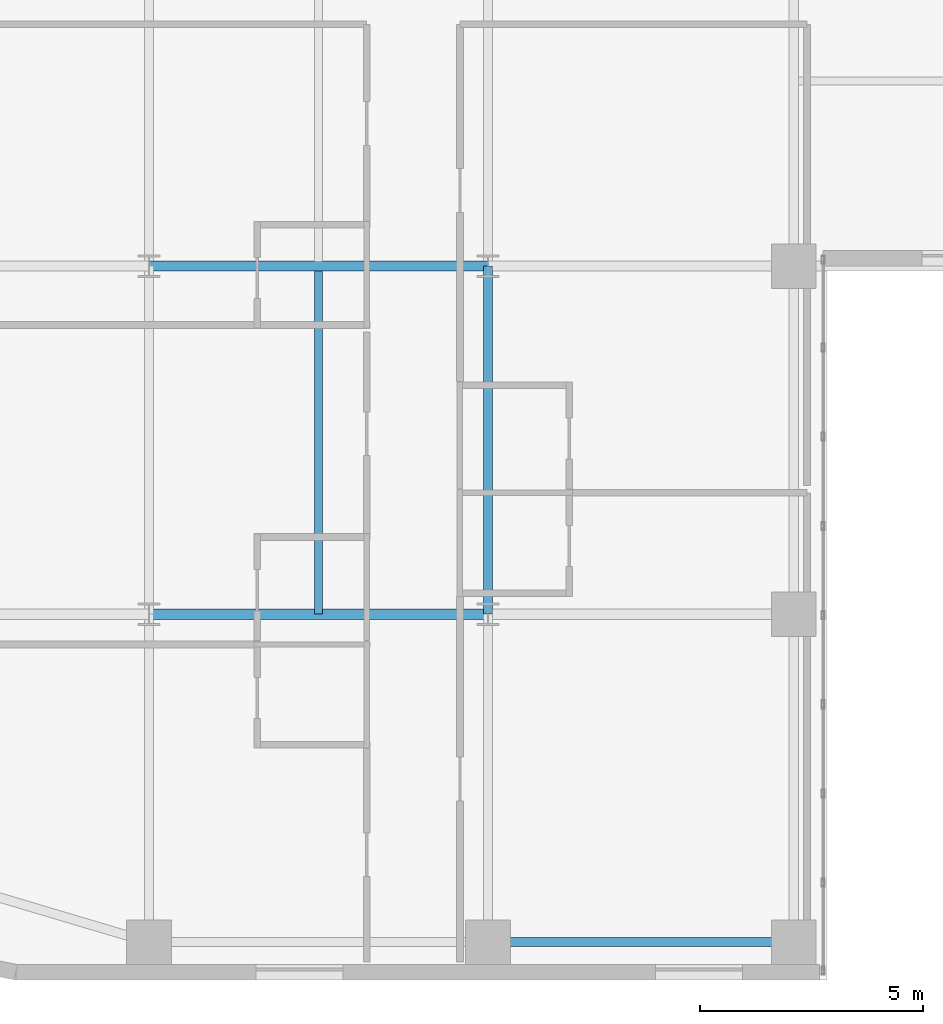
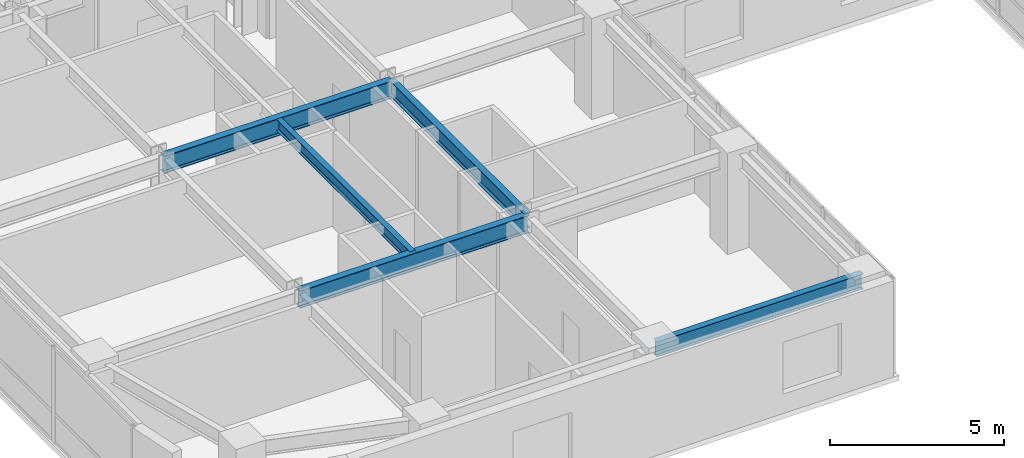
# One storey, part 5 of 30: 5 beams.
"""IFC4 building model written with IfcOpenShell, lengths in metres."""

from ifc_helpers import new_model, si_unit, direction, frame, origin, origin_2d, place, context, subcontext, project, spatial, i_section, extrude, source, transform, mapped, material, material_profile, profile_set, type_object, type_shapes, element, save


model = new_model("IFC4")

# Units and contexts
model_context = context("Model", 3, precision=1e-05, world=origin(), true_north=direction((0.0, 1.0)))
body_context = subcontext(model_context, "Body", "Model", "MODEL_VIEW")
ifc_project = project(units=[si_unit("LENGTHUNIT", "METRE"), si_unit("AREAUNIT", "SQUARE_METRE"), si_unit("VOLUMEUNIT", "CUBIC_METRE"), si_unit("PLANEANGLEUNIT", "RADIAN"), si_unit("MASSUNIT", "GRAM", prefix="KILO")], contexts=[model_context])

# Site, building, storey
site_placement = place(None, origin())
site = spatial("IfcSite", under=ifc_project, at=site_placement, CompositionType="ELEMENT")
building_placement = place(site_placement, origin())
building = spatial("IfcBuilding", under=site, at=building_placement, Name="Tolvann Quenvar Hotel", CompositionType="ELEMENT")
storey_placement = place(building_placement, frame((0.0, 0.0, 56.85009765625)))
storey = spatial("IfcBuildingStorey", under=building, at=storey_placement, Name="L13", CompositionType="ELEMENT", Elevation=56.85009765625)

# Beams
ifc_material = material(Name="Steel Grade 350", Category="steel")
ifc_material_profile_1 = material_profile(ifc_material, i_section(OverallWidth=0.208984375, OverallDepth=0.528076171875, WebThickness=0.009521484375, FlangeThickness=0.01318359375, FilletRadius=0.013916015625, at=origin_2d()), Name="530UB82")
ifc_profile_set_1 = profile_set([ifc_material_profile_1], Name="Steel Grade 350")
beam_type_1 = type_object("IfcBeamType", Name="BM_SPAND_530UB82", PredefinedType="SPANDREL", material=ifc_profile_set_1)
shared_shape_1 = source(origin(), body_context, "Body", "SweptSolid", [
    extrude(i_section(OverallWidth=0.208984375, OverallDepth=0.528076171875, WebThickness=0.009521484375, FlangeThickness=0.01318359375, FilletRadius=0.013916015625, at=origin_2d()), origin(), (0.0, 0.0, 1.0), 6.85009765625),
])
type_shapes(beam_type_1, [shared_shape_1])
beam_1_placement = place(storey_placement, frame((15.199951171875, 0.85009765625, 3.10595703125), z_axis=(1.0, 0.0, 0.0), x_axis=(0.0, 1.0, 0.0)))
element("IfcBeam", 1, at=beam_1_placement, inside=storey, type_object=beam_type_1, Name="BM-L13-EW-2-D2-E2", PredefinedType="SPANDREL", context=body_context, shape_type="MappedRepresentation", body=[
    mapped(shared_shape_1, transform((0.0, 0.0, 0.0), x_axis=(1.0, 0.0, 0.0), y_axis=(0.0, 1.0, 0.0), z_axis=(0.0, 0.0, 1.0), scale=1.0)),
])
ifc_material_profile_2 = material_profile(ifc_material, i_section(OverallWidth=0.22900390625, OverallDepth=0.612060546875, WebThickness=0.011962890625, FlangeThickness=0.01953125, FilletRadius=0.013916015625, at=origin_2d()), Name="610UB125")
ifc_profile_set_2 = profile_set([ifc_material_profile_2], Name="Steel Grade 350")
beam_type_2 = type_object("IfcBeamType", Name="BM_GIRD_610UB125", PredefinedType="BEAM", material=ifc_profile_set_2)
shared_shape_2 = source(origin(), body_context, "Body", "SweptSolid", [
    extrude(i_section(OverallWidth=0.22900390625, OverallDepth=0.612060546875, WebThickness=0.011962890625, FlangeThickness=0.01953125, FilletRadius=0.013916015625, at=origin_2d()), origin(), (0.0, 0.0, 1.0), 7.599853515625),
])
type_shapes(beam_type_2, [shared_shape_2])
for number, where, z_axis, x_axis, name in (
    (2, (7.60009765625, 8.199951171875, 3.06396484375), (1.0, 0.0, 0.0), (0.0, 1.0, 0.0), "BM-L13-EW-3-C3-D3"),
    (3, (7.60009765625, 16.0, 3.06396484375), (1.0, 0.0, 0.0), (0.0, 1.0, 0.0), "BM-L13-EW-4-C4-D4"),
):
    element("IfcBeam", number, at=place(storey_placement, frame(where, z_axis=z_axis, x_axis=x_axis)), inside=storey, type_object=beam_type_2, Name=name, PredefinedType="BEAM", context=body_context, shape_type="MappedRepresentation", body=[
        mapped(shared_shape_2, transform((0.0, 0.0, 0.0), x_axis=(1.0, 0.0, 0.0), y_axis=(0.0, 1.0, 0.0), z_axis=(0.0, 0.0, 1.0), scale=1.0)),
    ])
ifc_material_profile_3 = material_profile(ifc_material, i_section(OverallWidth=0.208984375, OverallDepth=0.532958984375, WebThickness=0.01025390625, FlangeThickness=0.015625, FilletRadius=0.013916015625, at=origin_2d()), Name="530UB92")
ifc_profile_set_3 = profile_set([ifc_material_profile_3], Name="Steel Grade 350")
beam_type_3 = type_object("IfcBeamType", Name="BM_GIRD_530UB92", PredefinedType="BEAM", material=ifc_profile_set_3)
shared_shape_3 = source(origin(), body_context, "Body", "SweptSolid", [
    extrude(i_section(OverallWidth=0.208984375, OverallDepth=0.532958984375, WebThickness=0.01025390625, FlangeThickness=0.015625, FilletRadius=0.013916015625, at=origin_2d()), origin(), (0.0, 0.0, 1.0), 7.800048828125),
])
type_shapes(beam_type_3, [shared_shape_3])
beam_2_placement = place(storey_placement, frame((15.199951171875, 8.199951171875, 3.103515625), z_axis=(0.0, 1.0, 0.0), x_axis=(-1.0, 0.0, 0.0)))
element("IfcBeam", 4, at=beam_2_placement, inside=storey, type_object=beam_type_3, Name="BM-L13-NS-D3-D4", PredefinedType="BEAM", context=body_context, shape_type="MappedRepresentation", body=[
    mapped(shared_shape_3, transform((0.0, 0.0, 0.0), x_axis=(1.0, 0.0, 0.0), y_axis=(0.0, 1.0, 0.0), z_axis=(0.0, 0.0, 1.0), scale=1.0)),
])
ifc_material_profile_4 = material_profile(ifc_material, i_section(OverallWidth=0.177978515625, OverallDepth=0.406005859375, WebThickness=0.0078125, FlangeThickness=0.0126953125, FilletRadius=0.011474609375, at=origin_2d()), Name="410UB60")
ifc_profile_set_4 = profile_set([ifc_material_profile_4], Name="Steel Grade 350")
beam_type_4 = type_object("IfcBeamType", Name="BM_JOIST_410UB60", PredefinedType="JOIST", material=ifc_profile_set_4)
shared_shape_4 = source(origin(), body_context, "Body", "SweptSolid", [
    extrude(i_section(OverallWidth=0.177978515625, OverallDepth=0.406005859375, WebThickness=0.0078125, FlangeThickness=0.0126953125, FilletRadius=0.011474609375, at=origin_2d()), origin(), (0.0, 0.0, 1.0), 7.691650390625),
])
type_shapes(beam_type_4, [shared_shape_4])
beam_3_placement = place(storey_placement, frame((11.39990234375, 8.199951171875, 3.1669921875), z_axis=(0.0, 1.0, 0.0), x_axis=(-1.0, 0.0, 0.0)))
element("IfcBeam", 5, at=beam_3_placement, inside=storey, type_object=beam_type_4, Name="BJ-L13-114-82", PredefinedType="JOIST", context=body_context, shape_type="MappedRepresentation", body=[
    mapped(shared_shape_4, transform((0.0, 0.0, 0.0), x_axis=(1.0, 0.0, 0.0), y_axis=(0.0, 1.0, 0.0), z_axis=(0.0, 0.0, 1.0), scale=1.0)),
])

save(model, "model.ifc")
